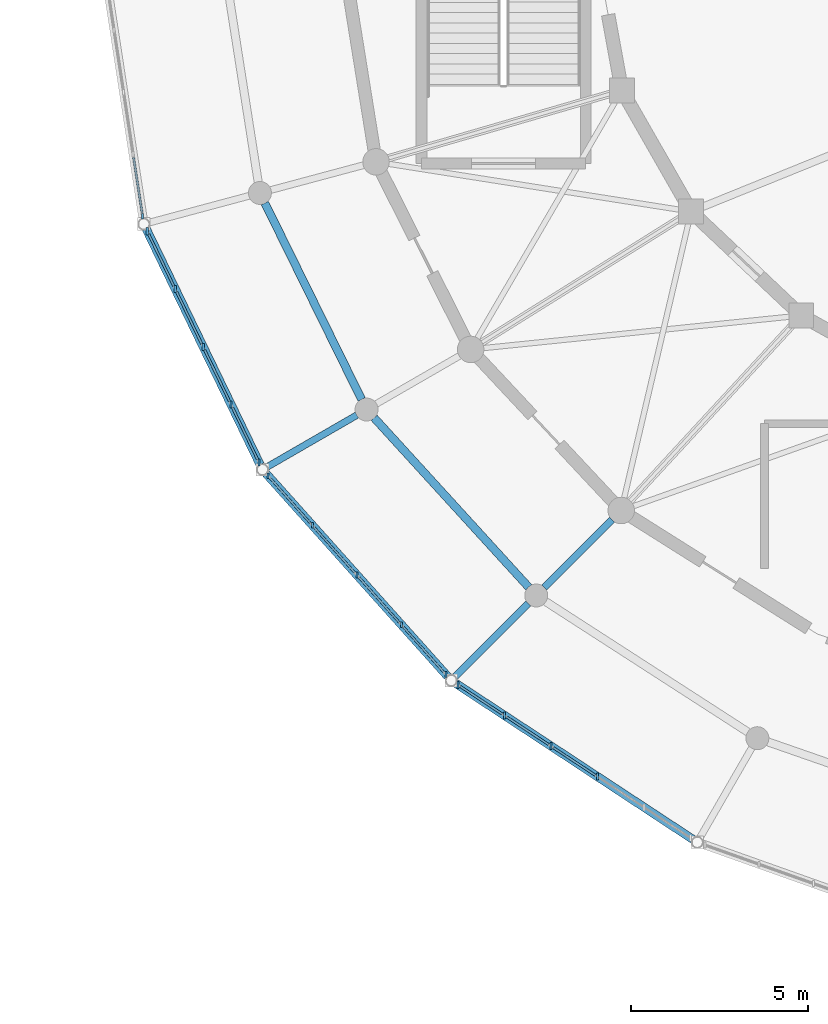
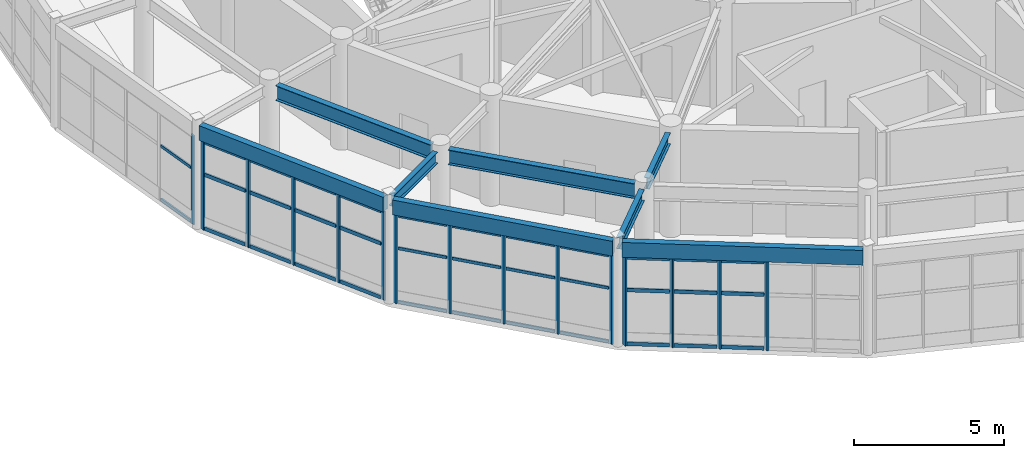
# One storey, part 15 of 60: 50 members, 8 beams, 4 elements without a shape of their own.
"""IFC4 building model written with IfcOpenShell, lengths in metres."""

from ifc_helpers import new_model, si_unit, direction, frame, origin, origin_2d, place, context, subcontext, project, spatial, rectangle, i_section, extrude, material, material_profile, profile_set, type_object, element, aggregate, save


model = new_model("IFC4")

# Units and contexts
model_context = context("Model", 3, precision=1e-05, world=origin(), true_north=direction((0.0, 1.0)))
body_context = subcontext(model_context, "Body", "Model", "MODEL_VIEW")
ifc_project = project(units=[si_unit("LENGTHUNIT", "METRE"), si_unit("AREAUNIT", "SQUARE_METRE"), si_unit("VOLUMEUNIT", "CUBIC_METRE"), si_unit("PLANEANGLEUNIT", "RADIAN"), si_unit("MASSUNIT", "GRAM", prefix="KILO")], contexts=[model_context])

# Site, building, storey
site_placement = place(None, origin())
site = spatial("IfcSite", under=ifc_project, at=site_placement, CompositionType="ELEMENT")
building_placement = place(site_placement, origin())
building = spatial("IfcBuilding", under=site, at=building_placement, Name="Cinderbank Siding Concert Hall", CompositionType="ELEMENT")
storey_placement = place(building_placement, frame((0.0, 0.0, 14.699951171875)))
storey = spatial("IfcBuildingStorey", under=building, at=storey_placement, Name="L04", CompositionType="ELEMENT", Elevation=14.699951171875)

# Beams
ifc_material_1 = material(Name="Structural steel AS/NZS 3679.1 Grade 350 (340 MPa)", Category="steel")
ifc_material_profile_1 = material_profile(ifc_material_1, i_section(OverallWidth=0.19091796875, OverallDepth=0.46044921875, WebThickness=0.010009765625, FlangeThickness=0.01611328125, at=origin_2d()), Name="460UB82.1", Category="LoadBearing")
ifc_profile_set_1 = profile_set([ifc_material_profile_1], Name="Structural steel AS/NZS 3679.1 Grade 350 (340 MPa)")
beam_type_1 = type_object("IfcBeamType", Name="BM-UB460H 460UB82.1", PredefinedType="BEAM", material=ifc_profile_set_1)
beam_1_placement = place(storey_placement, frame((102.7900390625, 28.18408203125, 4.03173828125), z_axis=(-0.707151723938, -0.707061835578, 0.0), x_axis=(0.707061835578, -0.707151723938, 0.0)))
element("IfcBeam", 1, at=beam_1_placement, inside=storey, type_object=beam_type_1, Name="L04 Beam BM-UB460H #726", PredefinedType="BEAM", context=body_context, shape_type="SweptSolid", body=[
    extrude(i_section(OverallWidth=0.19091796875, OverallDepth=0.46044921875, WebThickness=0.010009765625, FlangeThickness=0.01611328125, at=origin_2d()), origin(), (0.0, 0.0, 1.0), 2.716064453125),
])
beam_2_placement = place(storey_placement, frame((95.571533203125, 31.1416015625, 4.001953125), z_axis=(-0.866013467834, -0.500020673103, 0.0), x_axis=(0.500020673103, -0.866013467834, 0.0)))
element("IfcBeam", 2, at=beam_2_placement, inside=storey, type_object=beam_type_1, Name="L04 Beam BM-UB460H #749", PredefinedType="BEAM", context=body_context, shape_type="SweptSolid", body=[
    extrude(i_section(OverallWidth=0.19091796875, OverallDepth=0.46044921875, WebThickness=0.010009765625, FlangeThickness=0.01611328125, at=origin_2d()), origin(), (0.0, 0.0, 1.0), 2.92919921875),
])
beam_3_placement = place(storey_placement, frame((100.421142578125, 25.815185546875, 4.001953125), z_axis=(-0.707106781187, -0.707106781187, 0.0), x_axis=(0.707106781187, -0.707106781187, 0.0)))
element("IfcBeam", 3, at=beam_3_placement, inside=storey, type_object=beam_type_1, Name="L04 Beam BM-UB460H #750", PredefinedType="BEAM", context=body_context, shape_type="SweptSolid", body=[
    extrude(i_section(OverallWidth=0.19091796875, OverallDepth=0.46044921875, WebThickness=0.010009765625, FlangeThickness=0.01611328125, at=origin_2d()), origin(), (0.0, 0.0, 1.0), 2.928955078125),
])
ifc_material_profile_2 = material_profile(ifc_material_1, i_section(OverallWidth=0.22802734375, OverallDepth=0.60693359375, WebThickness=0.01123046875, FlangeThickness=0.017333984375, at=origin_2d()), Name="610UB113", Category="LoadBearing")
ifc_profile_set_2 = profile_set([ifc_material_profile_2], Name="Structural steel AS/NZS 3679.1 Grade 350 (340 MPa)")
beam_type_2 = type_object("IfcBeamType", Name="BM-UB610M 610UB113", PredefinedType="BEAM", material=ifc_profile_set_2)
beam_4_placement = place(storey_placement, frame((92.968994140625, 37.1416015625, 3.928466796875), z_axis=(0.441813843649, -0.897106753714, 0.0), x_axis=(0.897106753714, 0.441813843649, 0.0)))
element("IfcBeam", 4, at=beam_4_placement, inside=storey, type_object=beam_type_2, Name="L04 Beam BM-UB610M #665", PredefinedType="BEAM", context=body_context, shape_type="SweptSolid", body=[
    extrude(i_section(OverallWidth=0.22802734375, OverallDepth=0.60693359375, WebThickness=0.01123046875, FlangeThickness=0.017333984375, at=origin_2d()), origin(), (0.0, 0.0, 1.0), 6.194580078125),
])
beam_5_placement = place(storey_placement, frame((96.059814453125, 31.06591796875, 3.928466796875), z_axis=(0.67395874418, -0.73876898361, 0.0), x_axis=(0.73876898361, 0.67395874418, 0.0)))
element("IfcBeam", 5, at=beam_5_placement, inside=storey, type_object=beam_type_2, Name="L04 Beam BM-UB610M #666", PredefinedType="BEAM", context=body_context, shape_type="SweptSolid", body=[
    extrude(i_section(OverallWidth=0.22802734375, OverallDepth=0.60693359375, WebThickness=0.01123046875, FlangeThickness=0.017333984375, at=origin_2d()), origin(), (0.0, 0.0, 1.0), 6.48681640625),
])

# Curtain wall, member
ifc_material_2 = material(Name="Anodised aluminium alloy 6063-T6", Category="aluminium")
curtain_wall_type_1 = type_object("IfcCurtainWallType", Name="CW-01 Unitised Acoustic Curtain Wall 8200x4400", PredefinedType="NOTDEFINED", material=ifc_material_2)
curtain_wall_1_placement = place(storey_placement, origin())
curtain_wall_1 = element("IfcCurtainWall", 6, at=curtain_wall_1_placement, inside=storey, type_object=curtain_wall_type_1, Name="L04 Curtain Wall CW-01 #60", PredefinedType="NOTDEFINED")
ifc_material_profile_3 = material_profile(ifc_material_2, rectangle(XDim=0.06005859375, YDim=0.159912109375, at=origin_2d()), Name="ALU-MULL-60x160", Category="LoadBearing")
ifc_profile_set_3 = profile_set([ifc_material_profile_3], Name="Anodised aluminium alloy 6063-T6")
member_type_1 = type_object("IfcMemberType", Name="CW-ML1 Mullion 60x160", PredefinedType="MULLION", material=ifc_profile_set_3)
member_1_placement = place(storey_placement, frame((89.510498046875, 36.770263671875, 0.0), z_axis=(0.0, 0.0, 1.0), x_axis=(1.0, 0.0, 0.0)))
member_1 = element("IfcMember", 7, at=member_1_placement, type_object=member_type_1, Name="CW-L04-060 Mullion 4", PredefinedType="MULLION", context=body_context, shape_type="SweptSolid", body=[
    extrude(rectangle(XDim=0.06005859375, YDim=0.159912109375, at=origin_2d()), origin(), (0.0, 0.0, 1.0), 3.616943359375),
])

# Curtain wall, members
curtain_wall_type_2 = type_object("IfcCurtainWallType", Name="CW-03 Unitised Acoustic Curtain Wall 7400x4400", PredefinedType="NOTDEFINED", material=ifc_material_2)
curtain_wall_2_placement = place(storey_placement, origin())
curtain_wall_2 = element("IfcCurtainWall", 8, at=curtain_wall_2_placement, inside=storey, type_object=curtain_wall_type_2, Name="L04 Curtain Wall CW-03 #62", PredefinedType="NOTDEFINED")
member_2_placement = place(storey_placement, frame((93.052978515625, 29.430908203125, 0.0), z_axis=(0.0, 0.0, 1.0), x_axis=(1.0, 0.0, 0.0)))
member_2 = element("IfcMember", 9, at=member_2_placement, type_object=member_type_1, Name="CW-L04-062 Mullion 0", PredefinedType="MULLION", context=body_context, shape_type="SweptSolid", body=[
    extrude(rectangle(XDim=0.06005859375, YDim=0.159912109375, at=origin_2d()), origin(), (0.0, 0.0, 1.0), 3.616943359375),
])
member_3_placement = place(storey_placement, frame((94.31201171875, 28.0244140625, 0.0), z_axis=(0.0, 0.0, 1.0), x_axis=(1.0, 0.0, 0.0)))
member_3 = element("IfcMember", 10, at=member_3_placement, type_object=member_type_1, Name="CW-L04-062 Mullion 1", PredefinedType="MULLION", context=body_context, shape_type="SweptSolid", body=[
    extrude(rectangle(XDim=0.06005859375, YDim=0.159912109375, at=origin_2d()), origin(), (0.0, 0.0, 1.0), 3.616943359375),
])
member_4_placement = place(storey_placement, frame((95.5712890625, 26.61767578125, 0.0), z_axis=(0.0, 0.0, 1.0), x_axis=(1.0, 0.0, 0.0)))
member_4 = element("IfcMember", 11, at=member_4_placement, type_object=member_type_1, Name="CW-L04-062 Mullion 2", PredefinedType="MULLION", context=body_context, shape_type="SweptSolid", body=[
    extrude(rectangle(XDim=0.06005859375, YDim=0.159912109375, at=origin_2d()), origin(), (0.0, 0.0, 1.0), 3.616943359375),
])
member_5_placement = place(storey_placement, frame((96.83056640625, 25.2109375, 0.0), z_axis=(0.0, 0.0, 1.0), x_axis=(1.0, 0.0, 0.0)))
member_5 = element("IfcMember", 12, at=member_5_placement, type_object=member_type_1, Name="CW-L04-062 Mullion 3", PredefinedType="MULLION", context=body_context, shape_type="SweptSolid", body=[
    extrude(rectangle(XDim=0.06005859375, YDim=0.159912109375, at=origin_2d()), origin(), (0.0, 0.0, 1.0), 3.616943359375),
])
member_6_placement = place(storey_placement, frame((98.08984375, 23.804443359375, 0.0), z_axis=(0.0, 0.0, 1.0), x_axis=(1.0, 0.0, 0.0)))
member_6 = element("IfcMember", 13, at=member_6_placement, type_object=member_type_1, Name="CW-L04-062 Mullion 4", PredefinedType="MULLION", context=body_context, shape_type="SweptSolid", body=[
    extrude(rectangle(XDim=0.06005859375, YDim=0.159912109375, at=origin_2d()), origin(), (0.0, 0.0, 1.0), 3.616943359375),
])

curtain_wall_type_3 = type_object("IfcCurtainWallType", Name="CW-02 Unitised Acoustic Curtain Wall 7800x4400", PredefinedType="NOTDEFINED", material=ifc_material_2)
curtain_wall_3_placement = place(storey_placement, origin())
curtain_wall_3 = element("IfcCurtainWall", 14, at=curtain_wall_3_placement, inside=storey, type_object=curtain_wall_type_3, Name="L04 Curtain Wall CW-02 #61", PredefinedType="NOTDEFINED")
ifc_material_profile_4 = material_profile(ifc_material_2, rectangle(XDim=0.06494140625, YDim=0.199951171875, at=origin_2d()), Name="ALU-MULL-65x200", Category="LoadBearing")
ifc_profile_set_4 = profile_set([ifc_material_profile_4], Name="Anodised aluminium alloy 6063-T6")
member_type_2 = type_object("IfcMemberType", Name="CW-ML2 Mullion 65x200", PredefinedType="MULLION", material=ifc_profile_set_4)
member_7_placement = place(storey_placement, frame((89.6435546875, 36.341796875, 0.0), z_axis=(0.0, 0.0, 1.0), x_axis=(1.0, 0.0, 0.0)))
member_7 = element("IfcMember", 15, at=member_7_placement, type_object=member_type_2, Name="CW-L04-061 Mullion 0", PredefinedType="MULLION", context=body_context, shape_type="SweptSolid", body=[
    extrude(rectangle(XDim=0.06494140625, YDim=0.199951171875, at=origin_2d()), origin(), (0.0, 0.0, 1.0), 3.616943359375),
])
member_8_placement = place(storey_placement, frame((90.433349609375, 34.707275390625, 0.0), z_axis=(0.0, 0.0, 1.0), x_axis=(1.0, 0.0, 0.0)))
member_8 = element("IfcMember", 16, at=member_8_placement, type_object=member_type_2, Name="CW-L04-061 Mullion 1", PredefinedType="MULLION", context=body_context, shape_type="SweptSolid", body=[
    extrude(rectangle(XDim=0.06494140625, YDim=0.199951171875, at=origin_2d()), origin(), (0.0, 0.0, 1.0), 3.616943359375),
])
member_9_placement = place(storey_placement, frame((91.22314453125, 33.072998046875, 0.0), z_axis=(0.0, 0.0, 1.0), x_axis=(1.0, 0.0, 0.0)))
member_9 = element("IfcMember", 17, at=member_9_placement, type_object=member_type_2, Name="CW-L04-061 Mullion 2", PredefinedType="MULLION", context=body_context, shape_type="SweptSolid", body=[
    extrude(rectangle(XDim=0.06494140625, YDim=0.199951171875, at=origin_2d()), origin(), (0.0, 0.0, 1.0), 3.616943359375),
])
member_10_placement = place(storey_placement, frame((92.012939453125, 31.438720703125, 0.0), z_axis=(0.0, 0.0, 1.0), x_axis=(1.0, 0.0, 0.0)))
member_10 = element("IfcMember", 18, at=member_10_placement, type_object=member_type_2, Name="CW-L04-061 Mullion 3", PredefinedType="MULLION", context=body_context, shape_type="SweptSolid", body=[
    extrude(rectangle(XDim=0.06494140625, YDim=0.199951171875, at=origin_2d()), origin(), (0.0, 0.0, 1.0), 3.616943359375),
])
member_11_placement = place(storey_placement, frame((92.802734375, 29.80419921875, 0.0), z_axis=(0.0, 0.0, 1.0), x_axis=(1.0, 0.0, 0.0)))
member_11 = element("IfcMember", 19, at=member_11_placement, type_object=member_type_2, Name="CW-L04-061 Mullion 4", PredefinedType="MULLION", context=body_context, shape_type="SweptSolid", body=[
    extrude(rectangle(XDim=0.06494140625, YDim=0.199951171875, at=origin_2d()), origin(), (0.0, 0.0, 1.0), 3.616943359375),
])

curtain_wall_type_4 = type_object("IfcCurtainWallType", Name="CW-04 Unitised Acoustic Curtain Wall 7000x4400", PredefinedType="NOTDEFINED", material=ifc_material_2)
curtain_wall_4_placement = place(storey_placement, origin())
curtain_wall_4 = element("IfcCurtainWall", 20, at=curtain_wall_4_placement, inside=storey, type_object=curtain_wall_type_4, Name="L04 Curtain Wall CW-04 #63", PredefinedType="NOTDEFINED")
member_12_placement = place(storey_placement, frame((98.430908203125, 23.510498046875, 0.0), z_axis=(0.0, 0.0, 1.0), x_axis=(1.0, 0.0, 0.0)))
member_12 = element("IfcMember", 21, at=member_12_placement, type_object=member_type_2, Name="CW-L04-063 Mullion 0", PredefinedType="MULLION", context=body_context, shape_type="SweptSolid", body=[
    extrude(rectangle(XDim=0.06494140625, YDim=0.199951171875, at=origin_2d()), origin(), (0.0, 0.0, 1.0), 3.616943359375),
])
member_13_placement = place(storey_placement, frame((99.74658203125, 22.64501953125, 0.0), z_axis=(0.0, 0.0, 1.0), x_axis=(1.0, 0.0, 0.0)))
member_13 = element("IfcMember", 22, at=member_13_placement, type_object=member_type_2, Name="CW-L04-063 Mullion 1", PredefinedType="MULLION", context=body_context, shape_type="SweptSolid", body=[
    extrude(rectangle(XDim=0.06494140625, YDim=0.199951171875, at=origin_2d()), origin(), (0.0, 0.0, 1.0), 3.616943359375),
])
member_14_placement = place(storey_placement, frame((101.0625, 21.779541015625, 0.0), z_axis=(0.0, 0.0, 1.0), x_axis=(1.0, 0.0, 0.0)))
member_14 = element("IfcMember", 23, at=member_14_placement, type_object=member_type_2, Name="CW-L04-063 Mullion 2", PredefinedType="MULLION", context=body_context, shape_type="SweptSolid", body=[
    extrude(rectangle(XDim=0.06494140625, YDim=0.199951171875, at=origin_2d()), origin(), (0.0, 0.0, 1.0), 3.616943359375),
])
member_15_placement = place(storey_placement, frame((102.378662109375, 20.914306640625, 0.0), z_axis=(0.0, 0.0, 1.0), x_axis=(1.0, 0.0, 0.0)))
member_15 = element("IfcMember", 24, at=member_15_placement, type_object=member_type_2, Name="CW-L04-063 Mullion 3", PredefinedType="MULLION", context=body_context, shape_type="SweptSolid", body=[
    extrude(rectangle(XDim=0.06494140625, YDim=0.199951171875, at=origin_2d()), origin(), (0.0, 0.0, 1.0), 3.616943359375),
])

# Member
ifc_material_profile_5 = material_profile(ifc_material_2, rectangle(XDim=0.06005859375, YDim=0.1201171875, at=origin_2d()), Name="ALU-TRAN-60x120", Category="LoadBearing")
ifc_profile_set_5 = profile_set([ifc_material_profile_5], Name="Anodised aluminium alloy 6063-T6")
member_type_3 = type_object("IfcMemberType", Name="CW-TR1 Transom 60x120", PredefinedType="USERDEFINED", material=ifc_profile_set_5)
member_16_placement = place(storey_placement, frame((89.2548828125, 38.43408203125, 0.06005859375), z_axis=(0.151873110161, -0.988399999196, 0.0), x_axis=(0.988399999196, 0.151873110161, 0.0)))
member_16 = element("IfcMember", 25, at=member_16_placement, type_object=member_type_3, Name="CW-L04-060 Transom 3-0", ObjectType="TRANSOM", PredefinedType="USERDEFINED", context=body_context, shape_type="SweptSolid", body=[
    extrude(rectangle(XDim=0.06005859375, YDim=0.1201171875, at=origin_2d()), origin(), (0.0, 0.0, 1.0), 1.5947265625),
])

member_17_placement = place(storey_placement, frame((89.2548828125, 38.43408203125, 2.242431640625), z_axis=(0.151873110161, -0.988399999196, 0.0), x_axis=(0.988399999196, 0.151873110161, 0.0)))
member_17 = element("IfcMember", 26, at=member_17_placement, type_object=member_type_3, Name="CW-L04-060 Transom 3-1", ObjectType="TRANSOM", PredefinedType="USERDEFINED", context=body_context, shape_type="SweptSolid", body=[
    extrude(rectangle(XDim=0.06005859375, YDim=0.1201171875, at=origin_2d()), origin(), (0.0, 0.0, 1.0), 1.5947265625),
])

aggregate(curtain_wall_1, [member_1, member_16, member_17])

member_18_placement = place(storey_placement, frame((93.11572265625, 29.360595703125, 0.06005859375), z_axis=(0.667025792822, -0.745034624504, 0.0), x_axis=(0.745034624504, 0.667025792822, 0.0)))
member_18 = element("IfcMember", 27, at=member_18_placement, type_object=member_type_3, Name="CW-L04-062 Transom 0-0", ObjectType="TRANSOM", PredefinedType="USERDEFINED", context=body_context, shape_type="SweptSolid", body=[
    extrude(rectangle(XDim=0.06005859375, YDim=0.1201171875, at=origin_2d()), origin(), (0.0, 0.0, 1.0), 1.699462890625),
])

member_19_placement = place(storey_placement, frame((93.11572265625, 29.360595703125, 2.242431640625), z_axis=(0.667025792822, -0.745034624504, 0.0), x_axis=(0.745034624504, 0.667025792822, 0.0)))
member_19 = element("IfcMember", 28, at=member_19_placement, type_object=member_type_3, Name="CW-L04-062 Transom 0-1", ObjectType="TRANSOM", PredefinedType="USERDEFINED", context=body_context, shape_type="SweptSolid", body=[
    extrude(rectangle(XDim=0.06005859375, YDim=0.1201171875, at=origin_2d()), origin(), (0.0, 0.0, 1.0), 1.699462890625),
])

member_20_placement = place(storey_placement, frame((93.11572265625, 29.360595703125, 3.55712890625), z_axis=(0.667025792822, -0.745034624504, 0.0), x_axis=(0.745034624504, 0.667025792822, 0.0)))
member_20 = element("IfcMember", 29, at=member_20_placement, type_object=member_type_3, Name="CW-L04-062 Transom 0-2", ObjectType="TRANSOM", PredefinedType="USERDEFINED", context=body_context, shape_type="SweptSolid", body=[
    extrude(rectangle(XDim=0.06005859375, YDim=0.1201171875, at=origin_2d()), origin(), (0.0, 0.0, 1.0), 1.699462890625),
])

member_21_placement = place(storey_placement, frame((94.375, 27.953857421875, 0.06005859375), z_axis=(0.667017441515, -0.745042101304, 0.0), x_axis=(0.745042101304, 0.667017441515, 0.0)))
member_21 = element("IfcMember", 30, at=member_21_placement, type_object=member_type_3, Name="CW-L04-062 Transom 1-0", ObjectType="TRANSOM", PredefinedType="USERDEFINED", context=body_context, shape_type="SweptSolid", body=[
    extrude(rectangle(XDim=0.06005859375, YDim=0.1201171875, at=origin_2d()), origin(), (0.0, 0.0, 1.0), 1.698974609375),
])

member_22_placement = place(storey_placement, frame((94.375, 27.953857421875, 2.242431640625), z_axis=(0.667017441515, -0.745042101304, 0.0), x_axis=(0.745042101304, 0.667017441515, 0.0)))
member_22 = element("IfcMember", 31, at=member_22_placement, type_object=member_type_3, Name="CW-L04-062 Transom 1-1", ObjectType="TRANSOM", PredefinedType="USERDEFINED", context=body_context, shape_type="SweptSolid", body=[
    extrude(rectangle(XDim=0.06005859375, YDim=0.1201171875, at=origin_2d()), origin(), (0.0, 0.0, 1.0), 1.698974609375),
])

member_23_placement = place(storey_placement, frame((94.375, 27.953857421875, 3.55712890625), z_axis=(0.667017441515, -0.745042101304, 0.0), x_axis=(0.745042101304, 0.667017441515, 0.0)))
member_23 = element("IfcMember", 32, at=member_23_placement, type_object=member_type_3, Name="CW-L04-062 Transom 1-2", ObjectType="TRANSOM", PredefinedType="USERDEFINED", context=body_context, shape_type="SweptSolid", body=[
    extrude(rectangle(XDim=0.06005859375, YDim=0.1201171875, at=origin_2d()), origin(), (0.0, 0.0, 1.0), 1.698974609375),
])

member_24_placement = place(storey_placement, frame((95.63427734375, 26.54736328125, 0.06005859375), z_axis=(0.667017441515, -0.745042101304, 0.0), x_axis=(0.745042101304, 0.667017441515, 0.0)))
member_24 = element("IfcMember", 33, at=member_24_placement, type_object=member_type_3, Name="CW-L04-062 Transom 2-0", ObjectType="TRANSOM", PredefinedType="USERDEFINED", context=body_context, shape_type="SweptSolid", body=[
    extrude(rectangle(XDim=0.06005859375, YDim=0.1201171875, at=origin_2d()), origin(), (0.0, 0.0, 1.0), 1.698974609375),
])

member_25_placement = place(storey_placement, frame((95.63427734375, 26.54736328125, 2.242431640625), z_axis=(0.667017441515, -0.745042101304, 0.0), x_axis=(0.745042101304, 0.667017441515, 0.0)))
member_25 = element("IfcMember", 34, at=member_25_placement, type_object=member_type_3, Name="CW-L04-062 Transom 2-1", ObjectType="TRANSOM", PredefinedType="USERDEFINED", context=body_context, shape_type="SweptSolid", body=[
    extrude(rectangle(XDim=0.06005859375, YDim=0.1201171875, at=origin_2d()), origin(), (0.0, 0.0, 1.0), 1.698974609375),
])

member_26_placement = place(storey_placement, frame((95.63427734375, 26.54736328125, 3.55712890625), z_axis=(0.667017441515, -0.745042101304, 0.0), x_axis=(0.745042101304, 0.667017441515, 0.0)))
member_26 = element("IfcMember", 35, at=member_26_placement, type_object=member_type_3, Name="CW-L04-062 Transom 2-2", ObjectType="TRANSOM", PredefinedType="USERDEFINED", context=body_context, shape_type="SweptSolid", body=[
    extrude(rectangle(XDim=0.06005859375, YDim=0.1201171875, at=origin_2d()), origin(), (0.0, 0.0, 1.0), 1.698974609375),
])

member_27_placement = place(storey_placement, frame((96.8935546875, 25.140625, 0.06005859375), z_axis=(0.667017441515, -0.745042101304, 0.0), x_axis=(0.745042101304, 0.667017441515, 0.0)))
member_27 = element("IfcMember", 36, at=member_27_placement, type_object=member_type_3, Name="CW-L04-062 Transom 3-0", ObjectType="TRANSOM", PredefinedType="USERDEFINED", context=body_context, shape_type="SweptSolid", body=[
    extrude(rectangle(XDim=0.06005859375, YDim=0.1201171875, at=origin_2d()), origin(), (0.0, 0.0, 1.0), 1.698974609375),
])

member_28_placement = place(storey_placement, frame((96.8935546875, 25.140625, 2.242431640625), z_axis=(0.667017441515, -0.745042101304, 0.0), x_axis=(0.745042101304, 0.667017441515, 0.0)))
member_28 = element("IfcMember", 37, at=member_28_placement, type_object=member_type_3, Name="CW-L04-062 Transom 3-1", ObjectType="TRANSOM", PredefinedType="USERDEFINED", context=body_context, shape_type="SweptSolid", body=[
    extrude(rectangle(XDim=0.06005859375, YDim=0.1201171875, at=origin_2d()), origin(), (0.0, 0.0, 1.0), 1.698974609375),
])

member_29_placement = place(storey_placement, frame((96.8935546875, 25.140625, 3.55712890625), z_axis=(0.667017441515, -0.745042101304, 0.0), x_axis=(0.745042101304, 0.667017441515, 0.0)))
member_29 = element("IfcMember", 38, at=member_29_placement, type_object=member_type_3, Name="CW-L04-062 Transom 3-2", ObjectType="TRANSOM", PredefinedType="USERDEFINED", context=body_context, shape_type="SweptSolid", body=[
    extrude(rectangle(XDim=0.06005859375, YDim=0.1201171875, at=origin_2d()), origin(), (0.0, 0.0, 1.0), 1.698974609375),
])

aggregate(curtain_wall_2, [member_2, member_3, member_4, member_5, member_6, member_18, member_19, member_20, member_21, member_22, member_23, member_24, member_25, member_26, member_27, member_28, member_29])

ifc_material_profile_6 = material_profile(ifc_material_2, rectangle(XDim=0.06494140625, YDim=0.14990234375, at=origin_2d()), Name="ALU-TRAN-65x150", Category="LoadBearing")
ifc_profile_set_6 = profile_set([ifc_material_profile_6], Name="Anodised aluminium alloy 6063-T6")
member_type_4 = type_object("IfcMemberType", Name="CW-TR2 Transom 65x150", PredefinedType="USERDEFINED", material=ifc_profile_set_6)
member_30_placement = place(storey_placement, frame((89.68310546875, 36.260009765625, 0.06005859375), z_axis=(0.435037415308, -0.900412376238, 0.0), x_axis=(0.900412376238, 0.435037415308, 0.0)))
member_30 = element("IfcMember", 39, at=member_30_placement, type_object=member_type_4, Name="CW-L04-061 Transom 0-0", ObjectType="TRANSOM", PredefinedType="USERDEFINED", context=body_context, shape_type="SweptSolid", body=[
    extrude(rectangle(XDim=0.06494140625, YDim=0.14990234375, at=origin_2d()), origin(), (0.0, 0.0, 1.0), 1.633544921875),
])

member_31_placement = place(storey_placement, frame((89.68310546875, 36.260009765625, 2.242431640625), z_axis=(0.435037415308, -0.900412376238, 0.0), x_axis=(0.900412376238, 0.435037415308, 0.0)))
member_31 = element("IfcMember", 40, at=member_31_placement, type_object=member_type_4, Name="CW-L04-061 Transom 0-1", ObjectType="TRANSOM", PredefinedType="USERDEFINED", context=body_context, shape_type="SweptSolid", body=[
    extrude(rectangle(XDim=0.06494140625, YDim=0.14990234375, at=origin_2d()), origin(), (0.0, 0.0, 1.0), 1.633544921875),
])

member_32_placement = place(storey_placement, frame((89.68310546875, 36.260009765625, 3.55712890625), z_axis=(0.435037415308, -0.900412376238, 0.0), x_axis=(0.900412376238, 0.435037415308, 0.0)))
member_32 = element("IfcMember", 41, at=member_32_placement, type_object=member_type_4, Name="CW-L04-061 Transom 0-2", ObjectType="TRANSOM", PredefinedType="USERDEFINED", context=body_context, shape_type="SweptSolid", body=[
    extrude(rectangle(XDim=0.06494140625, YDim=0.14990234375, at=origin_2d()), origin(), (0.0, 0.0, 1.0), 1.633544921875),
])

member_33_placement = place(storey_placement, frame((90.472900390625, 34.62548828125, 0.06005859375), z_axis=(0.435095962233, -0.900384086737, 0.0), x_axis=(0.900384086737, 0.435095962233, 0.0)))
member_33 = element("IfcMember", 42, at=member_33_placement, type_object=member_type_4, Name="CW-L04-061 Transom 1-0", ObjectType="TRANSOM", PredefinedType="USERDEFINED", context=body_context, shape_type="SweptSolid", body=[
    extrude(rectangle(XDim=0.06494140625, YDim=0.14990234375, at=origin_2d()), origin(), (0.0, 0.0, 1.0), 1.63330078125),
])

member_34_placement = place(storey_placement, frame((90.472900390625, 34.62548828125, 2.242431640625), z_axis=(0.435095962233, -0.900384086737, 0.0), x_axis=(0.900384086737, 0.435095962233, 0.0)))
member_34 = element("IfcMember", 43, at=member_34_placement, type_object=member_type_4, Name="CW-L04-061 Transom 1-1", ObjectType="TRANSOM", PredefinedType="USERDEFINED", context=body_context, shape_type="SweptSolid", body=[
    extrude(rectangle(XDim=0.06494140625, YDim=0.14990234375, at=origin_2d()), origin(), (0.0, 0.0, 1.0), 1.63330078125),
])

member_35_placement = place(storey_placement, frame((90.472900390625, 34.62548828125, 3.55712890625), z_axis=(0.435095962233, -0.900384086737, 0.0), x_axis=(0.900384086737, 0.435095962233, 0.0)))
member_35 = element("IfcMember", 44, at=member_35_placement, type_object=member_type_4, Name="CW-L04-061 Transom 1-2", ObjectType="TRANSOM", PredefinedType="USERDEFINED", context=body_context, shape_type="SweptSolid", body=[
    extrude(rectangle(XDim=0.06494140625, YDim=0.14990234375, at=origin_2d()), origin(), (0.0, 0.0, 1.0), 1.63330078125),
])

member_36_placement = place(storey_placement, frame((91.2626953125, 32.9912109375, 0.06005859375), z_axis=(0.435095962233, -0.900384086737, 0.0), x_axis=(0.900384086737, 0.435095962233, 0.0)))
member_36 = element("IfcMember", 45, at=member_36_placement, type_object=member_type_4, Name="CW-L04-061 Transom 2-0", ObjectType="TRANSOM", PredefinedType="USERDEFINED", context=body_context, shape_type="SweptSolid", body=[
    extrude(rectangle(XDim=0.06494140625, YDim=0.14990234375, at=origin_2d()), origin(), (0.0, 0.0, 1.0), 1.63330078125),
])

member_37_placement = place(storey_placement, frame((91.2626953125, 32.9912109375, 2.242431640625), z_axis=(0.435095962233, -0.900384086737, 0.0), x_axis=(0.900384086737, 0.435095962233, 0.0)))
member_37 = element("IfcMember", 46, at=member_37_placement, type_object=member_type_4, Name="CW-L04-061 Transom 2-1", ObjectType="TRANSOM", PredefinedType="USERDEFINED", context=body_context, shape_type="SweptSolid", body=[
    extrude(rectangle(XDim=0.06494140625, YDim=0.14990234375, at=origin_2d()), origin(), (0.0, 0.0, 1.0), 1.63330078125),
])

member_38_placement = place(storey_placement, frame((91.2626953125, 32.9912109375, 3.55712890625), z_axis=(0.435095962233, -0.900384086737, 0.0), x_axis=(0.900384086737, 0.435095962233, 0.0)))
member_38 = element("IfcMember", 47, at=member_38_placement, type_object=member_type_4, Name="CW-L04-061 Transom 2-2", ObjectType="TRANSOM", PredefinedType="USERDEFINED", context=body_context, shape_type="SweptSolid", body=[
    extrude(rectangle(XDim=0.06494140625, YDim=0.14990234375, at=origin_2d()), origin(), (0.0, 0.0, 1.0), 1.63330078125),
])

member_39_placement = place(storey_placement, frame((92.052490234375, 31.35693359375, 0.06005859375), z_axis=(0.435037415308, -0.900412376238, 0.0), x_axis=(0.900412376238, 0.435037415308, 0.0)))
member_39 = element("IfcMember", 48, at=member_39_placement, type_object=member_type_4, Name="CW-L04-061 Transom 3-0", ObjectType="TRANSOM", PredefinedType="USERDEFINED", context=body_context, shape_type="SweptSolid", body=[
    extrude(rectangle(XDim=0.06494140625, YDim=0.14990234375, at=origin_2d()), origin(), (0.0, 0.0, 1.0), 1.633544921875),
])

member_40_placement = place(storey_placement, frame((92.052490234375, 31.35693359375, 2.242431640625), z_axis=(0.435037415308, -0.900412376238, 0.0), x_axis=(0.900412376238, 0.435037415308, 0.0)))
member_40 = element("IfcMember", 49, at=member_40_placement, type_object=member_type_4, Name="CW-L04-061 Transom 3-1", ObjectType="TRANSOM", PredefinedType="USERDEFINED", context=body_context, shape_type="SweptSolid", body=[
    extrude(rectangle(XDim=0.06494140625, YDim=0.14990234375, at=origin_2d()), origin(), (0.0, 0.0, 1.0), 1.633544921875),
])

member_41_placement = place(storey_placement, frame((92.052490234375, 31.35693359375, 3.55712890625), z_axis=(0.435037415308, -0.900412376238, 0.0), x_axis=(0.900412376238, 0.435037415308, 0.0)))
member_41 = element("IfcMember", 50, at=member_41_placement, type_object=member_type_4, Name="CW-L04-061 Transom 3-2", ObjectType="TRANSOM", PredefinedType="USERDEFINED", context=body_context, shape_type="SweptSolid", body=[
    extrude(rectangle(XDim=0.06494140625, YDim=0.14990234375, at=origin_2d()), origin(), (0.0, 0.0, 1.0), 1.633544921875),
])

aggregate(curtain_wall_3, [member_7, member_8, member_9, member_10, member_11, member_30, member_31, member_32, member_33, member_34, member_35, member_36, member_37, member_38, member_39, member_40, member_41])

member_42_placement = place(storey_placement, frame((98.49658203125, 23.46728515625, 0.06005859375), z_axis=(0.835531529407, -0.549442502331, 0.0), x_axis=(0.549442502331, 0.835531529407, 0.0)))
member_42 = element("IfcMember", 51, at=member_42_placement, type_object=member_type_4, Name="CW-L04-063 Transom 0-0", ObjectType="TRANSOM", PredefinedType="USERDEFINED", context=body_context, shape_type="SweptSolid", body=[
    extrude(rectangle(XDim=0.06494140625, YDim=0.14990234375, at=origin_2d()), origin(), (0.0, 0.0, 1.0), 1.41748046875),
])

member_43_placement = place(storey_placement, frame((98.49658203125, 23.46728515625, 2.242431640625), z_axis=(0.835531529407, -0.549442502331, 0.0), x_axis=(0.549442502331, 0.835531529407, 0.0)))
member_43 = element("IfcMember", 52, at=member_43_placement, type_object=member_type_4, Name="CW-L04-063 Transom 0-1", ObjectType="TRANSOM", PredefinedType="USERDEFINED", context=body_context, shape_type="SweptSolid", body=[
    extrude(rectangle(XDim=0.06494140625, YDim=0.14990234375, at=origin_2d()), origin(), (0.0, 0.0, 1.0), 1.41748046875),
])

member_44_placement = place(storey_placement, frame((98.49658203125, 23.46728515625, 3.55712890625), z_axis=(0.835531529407, -0.549442502331, 0.0), x_axis=(0.549442502331, 0.835531529407, 0.0)))
member_44 = element("IfcMember", 53, at=member_44_placement, type_object=member_type_4, Name="CW-L04-063 Transom 0-2", ObjectType="TRANSOM", PredefinedType="USERDEFINED", context=body_context, shape_type="SweptSolid", body=[
    extrude(rectangle(XDim=0.06494140625, YDim=0.14990234375, at=origin_2d()), origin(), (0.0, 0.0, 1.0), 1.41748046875),
])

member_45_placement = place(storey_placement, frame((99.8125, 22.601806640625, 0.06005859375), z_axis=(0.835531529407, -0.549442502331, 0.0), x_axis=(0.549442502331, 0.835531529407, 0.0)))
member_45 = element("IfcMember", 54, at=member_45_placement, type_object=member_type_4, Name="CW-L04-063 Transom 1-0", ObjectType="TRANSOM", PredefinedType="USERDEFINED", context=body_context, shape_type="SweptSolid", body=[
    extrude(rectangle(XDim=0.06494140625, YDim=0.14990234375, at=origin_2d()), origin(), (0.0, 0.0, 1.0), 1.41748046875),
])

member_46_placement = place(storey_placement, frame((99.8125, 22.601806640625, 2.242431640625), z_axis=(0.835531529407, -0.549442502331, 0.0), x_axis=(0.549442502331, 0.835531529407, 0.0)))
member_46 = element("IfcMember", 55, at=member_46_placement, type_object=member_type_4, Name="CW-L04-063 Transom 1-1", ObjectType="TRANSOM", PredefinedType="USERDEFINED", context=body_context, shape_type="SweptSolid", body=[
    extrude(rectangle(XDim=0.06494140625, YDim=0.14990234375, at=origin_2d()), origin(), (0.0, 0.0, 1.0), 1.41748046875),
])

member_47_placement = place(storey_placement, frame((99.8125, 22.601806640625, 3.55712890625), z_axis=(0.835531529407, -0.549442502331, 0.0), x_axis=(0.549442502331, 0.835531529407, 0.0)))
member_47 = element("IfcMember", 56, at=member_47_placement, type_object=member_type_4, Name="CW-L04-063 Transom 1-2", ObjectType="TRANSOM", PredefinedType="USERDEFINED", context=body_context, shape_type="SweptSolid", body=[
    extrude(rectangle(XDim=0.06494140625, YDim=0.14990234375, at=origin_2d()), origin(), (0.0, 0.0, 1.0), 1.41748046875),
])

member_48_placement = place(storey_placement, frame((101.12841796875, 21.736328125, 0.06005859375), z_axis=(0.835531529407, -0.549442502331, 0.0), x_axis=(0.549442502331, 0.835531529407, 0.0)))
member_48 = element("IfcMember", 57, at=member_48_placement, type_object=member_type_4, Name="CW-L04-063 Transom 2-0", ObjectType="TRANSOM", PredefinedType="USERDEFINED", context=body_context, shape_type="SweptSolid", body=[
    extrude(rectangle(XDim=0.06494140625, YDim=0.14990234375, at=origin_2d()), origin(), (0.0, 0.0, 1.0), 1.41748046875),
])

member_49_placement = place(storey_placement, frame((101.12841796875, 21.736328125, 2.242431640625), z_axis=(0.835531529407, -0.549442502331, 0.0), x_axis=(0.549442502331, 0.835531529407, 0.0)))
member_49 = element("IfcMember", 58, at=member_49_placement, type_object=member_type_4, Name="CW-L04-063 Transom 2-1", ObjectType="TRANSOM", PredefinedType="USERDEFINED", context=body_context, shape_type="SweptSolid", body=[
    extrude(rectangle(XDim=0.06494140625, YDim=0.14990234375, at=origin_2d()), origin(), (0.0, 0.0, 1.0), 1.41748046875),
])

member_50_placement = place(storey_placement, frame((101.12841796875, 21.736328125, 3.55712890625), z_axis=(0.835531529407, -0.549442502331, 0.0), x_axis=(0.549442502331, 0.835531529407, 0.0)))
member_50 = element("IfcMember", 59, at=member_50_placement, type_object=member_type_4, Name="CW-L04-063 Transom 2-2", ObjectType="TRANSOM", PredefinedType="USERDEFINED", context=body_context, shape_type="SweptSolid", body=[
    extrude(rectangle(XDim=0.06494140625, YDim=0.14990234375, at=origin_2d()), origin(), (0.0, 0.0, 1.0), 1.41748046875),
])

aggregate(curtain_wall_4, [member_12, member_13, member_14, member_15, member_42, member_43, member_44, member_45, member_46, member_47, member_48, member_49, member_50])

# Beams
ifc_material_3 = material(Name="Spotted gum glulam timber GL18 (42 MPa)", Category="wood")
ifc_material_profile_7 = material_profile(ifc_material_3, rectangle(XDim=0.239990234375, YDim=0.60009765625, at=origin_2d()), Name="GL18-240x600", Category="LoadBearing")
ifc_profile_set_7 = profile_set([ifc_material_profile_7], Name="Spotted gum glulam timber GL18 (42 MPa)")
beam_type_3 = type_object("IfcBeamType", Name="SP-GL600 GL18-240x600", PredefinedType="SPANDREL", material=ifc_profile_set_7)
beam_6_placement = place(storey_placement, frame((89.61181640625, 36.407470703125, 3.93212890625), z_axis=(0.435095625105, -0.900384249648, 0.0), x_axis=(0.900384249648, 0.435095625105, 0.0)))
element("IfcBeam", 60, at=beam_6_placement, inside=storey, type_object=beam_type_3, Name="L04 Beam SP-GL600 #689", PredefinedType="SPANDREL", context=body_context, shape_type="SweptSolid", body=[
    extrude(rectangle(XDim=0.239990234375, YDim=0.60009765625, at=origin_2d()), origin(), (0.0, 0.0, 1.0), 7.40673828125),
])
beam_7_placement = place(storey_placement, frame((93.004150390625, 29.4853515625, 3.93212890625), z_axis=(0.666985816213, -0.745070413432, 0.0), x_axis=(0.745070413432, 0.666985816213, 0.0)))
element("IfcBeam", 61, at=beam_7_placement, inside=storey, type_object=beam_type_3, Name="L04 Beam SP-GL600 #690", PredefinedType="SPANDREL", context=body_context, shape_type="SweptSolid", body=[
    extrude(rectangle(XDim=0.239990234375, YDim=0.60009765625, at=origin_2d()), origin(), (0.0, 0.0, 1.0), 7.69775390625),
])
beam_8_placement = place(storey_placement, frame((98.369873046875, 23.55078125, 3.93212890625), z_axis=(0.835480702777, -0.549519786074, 0.0), x_axis=(0.549519786074, 0.835480702777, 0.0)))
element("IfcBeam", 62, at=beam_8_placement, inside=storey, type_object=beam_type_3, Name="L04 Beam SP-GL600 #691", PredefinedType="SPANDREL", context=body_context, shape_type="SweptSolid", body=[
    extrude(rectangle(XDim=0.239990234375, YDim=0.60009765625, at=origin_2d()), origin(), (0.0, 0.0, 1.0), 8.02099609375),
])

save(model, "model.ifc")
